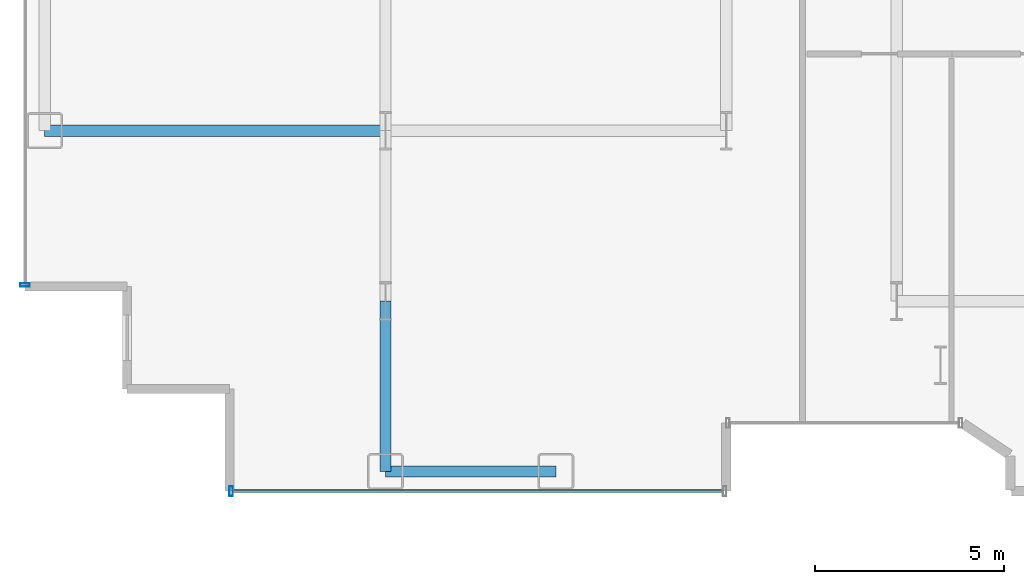
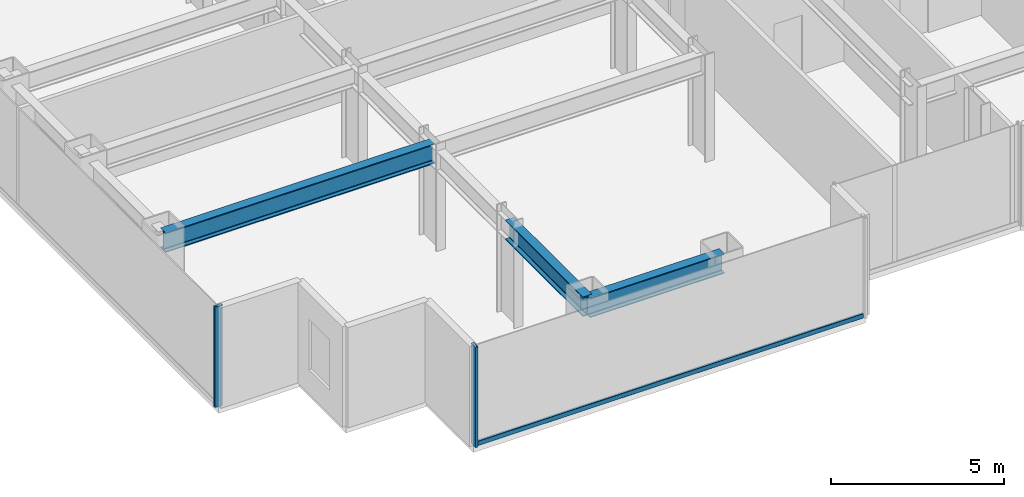
# One storey, part 2 of 26: 3 beams, 3 members, 2 elements without a shape of their own.
"""IFC4 building model written with IfcOpenShell, lengths in metres."""

import ifcopenshell
import ifcopenshell.guid

model = None  # the IFC model being written
_history = None  # IfcOwnerHistory: only IFC2X3 demands one
_inside = {}  # id of a spatial element -> (the spatial element, [elements in it])
_under = {}  # id of a project, library or spatial element -> (it, [spatial elements below it])
_declared = {}  # id of a project -> (the project, [libraries it declares])
_typed = {}  # id of a type object -> (the type object, [elements of that type])
_made_of = {}  # id of a material, layer set ... -> (it, [elements and type objects made of it])


def new_model(schema):
    """Start an empty IFC model of exactly this schema.

    Asked for "IFC4X3", IfcOpenShell would pick the latest addendum, in which some entities
    have other attributes; the version numbers below select the first issue.
    IFC2X3 requires an IfcOwnerHistory on every rooted entity: one is made here for all.
    """
    global model, _history
    if schema == "IFC4X3":
        model = ifcopenshell.file(schema_version=(4, 3, 0, 0))
    else:
        model = ifcopenshell.file(schema=schema)
    _inside.clear()
    _under.clear()
    _declared.clear()
    _typed.clear()
    _made_of.clear()
    _history = None
    if model.schema == "IFC2X3":
        org = make("IfcOrganization", Name="unknown")
        user = make(
            "IfcPersonAndOrganization",
            ThePerson=make("IfcPerson", FamilyName="unknown"),
            TheOrganization=org,
        )
        app = make(
            "IfcApplication",
            ApplicationDeveloper=org,
            Version="unknown",
            ApplicationFullName="unknown",
            ApplicationIdentifier="unknown",
        )
        _history = make(
            "IfcOwnerHistory",
            OwningUser=user,
            OwningApplication=app,
            ChangeAction="ADDED",
            CreationDate=0,
        )
    return model


def make(cls, **values):
    """One entity of the class cls with the attributes given. An attribute that is None is left unset."""
    return model.create_entity(
        cls, **{name: value for name, value in values.items() if value is not None}
    )


def rooted(cls, **values):
    """An entity with a GlobalId (a new one), such as an element, a storey or a relation."""
    return make(cls, GlobalId=ifcopenshell.guid.new(), OwnerHistory=_history, **values)


def si_unit(unit_type, name, prefix=None):
    """IfcSIUnit, for example si_unit("LENGTHUNIT", "METRE", prefix="MILLI")."""
    return make("IfcSIUnit", UnitType=unit_type, Prefix=prefix, Name=name)


def assignment(units):
    """IfcUnitAssignment: the units of a project."""
    return None if units is None else make("IfcUnitAssignment", Units=units)


def point(xyz):
    """IfcCartesianPoint."""
    return None if xyz is None else make("IfcCartesianPoint", Coordinates=xyz)


def direction(xyz):
    """IfcDirection."""
    return None if xyz is None else make("IfcDirection", DirectionRatios=xyz)


def frame(location, z_axis=None, x_axis=None):
    """IfcAxis2Placement3D, a coordinate frame: its origin and axes. An axis left out is left unset."""
    return make(
        "IfcAxis2Placement3D",
        Location=point(location),
        Axis=direction(z_axis),
        RefDirection=direction(x_axis),
    )


def frame_2d(location, x_axis=None):
    """IfcAxis2Placement2D, a coordinate frame in the plane: its origin and x axis."""
    return make(
        "IfcAxis2Placement2D", Location=point(location), RefDirection=direction(x_axis)
    )


def origin():
    """The frame at (0, 0, 0) with its axes left unset."""
    return frame((0.0, 0.0, 0.0))


def origin_2d():
    """The frame at (0, 0) in the plane with its x axis left unset."""
    return frame_2d((0.0, 0.0))


def place(relative_to, where):
    """IfcLocalPlacement: puts the frame where relative to a parent placement (None: the world)."""
    return make(
        "IfcLocalPlacement", PlacementRelTo=relative_to, RelativePlacement=where
    )


def context(
    kind, dimensions, precision=None, world=None, true_north=None, identifier=None
):
    """IfcGeometricRepresentationContext, for example the 3D "Model" context."""
    return make(
        "IfcGeometricRepresentationContext",
        ContextIdentifier=identifier,
        ContextType=kind,
        CoordinateSpaceDimension=dimensions,
        Precision=precision,
        WorldCoordinateSystem=world,
        TrueNorth=true_north,
    )


def subcontext(parent, identifier, kind, view, scale=None):
    """IfcGeometricRepresentationSubContext, for example "Body" below "Model"."""
    return make(
        "IfcGeometricRepresentationSubContext",
        ContextIdentifier=identifier,
        ContextType=kind,
        ParentContext=parent,
        TargetScale=scale,
        TargetView=view,
    )


def project(units=None, contexts=None):
    """IfcProject with its units and contexts."""
    return rooted(
        "IfcProject",
        Name="project",
        RepresentationContexts=contexts,
        UnitsInContext=assignment(units),
    )


def spatial(cls, under=None, at=None, **own):
    """A site, building, storey or space (cls), placed at a placement, below another one or the project."""
    s = rooted(cls, ObjectPlacement=at, **own)
    if under is not None:
        _under.setdefault(under.id(), (under, []))[1].append(s)
    return s


def profile(cls, at=None, kind="AREA", **sizes):
    """A parametric profile (cls). Its sizes go by their IFC names, for example OverallWidth=200.0."""
    return make(cls, ProfileType=kind, Position=at, **sizes)


def hollow_rectangle(**sizes):
    """IfcRectangleHollowProfileDef."""
    return profile("IfcRectangleHollowProfileDef", **sizes)


def i_section(**sizes):
    """IfcIShapeProfileDef."""
    return profile("IfcIShapeProfileDef", **sizes)


def extrude(swept, where, along, depth):
    """IfcExtrudedAreaSolid: the profile swept, set in the frame where, extruded along a direction by depth."""
    return make(
        "IfcExtrudedAreaSolid",
        SweptArea=swept,
        Position=where,
        ExtrudedDirection=direction(along),
        Depth=depth,
    )


def shape(context_of_items, identifier, shape_type, items):
    """IfcShapeRepresentation: the items that make up one representation, for example the "Body"."""
    return make(
        "IfcShapeRepresentation",
        ContextOfItems=context_of_items,
        RepresentationIdentifier=identifier,
        RepresentationType=shape_type,
        Items=items,
    )


def source(mapping_origin, context_of_items, identifier, shape_type, items):
    """IfcRepresentationMap: a shape defined once, which mapped items show again and again."""
    return make(
        "IfcRepresentationMap",
        MappingOrigin=mapping_origin,
        MappedRepresentation=shape(context_of_items, identifier, shape_type, items),
    )


def transform(
    local_origin,
    x_axis=None,
    y_axis=None,
    z_axis=None,
    scale=None,
    scale2=None,
    scale3=None,
    uniform=True,
):
    """IfcCartesianTransformationOperator3D, or its non-uniform kind. x_axis, y_axis, z_axis: its Axis1, 2, 3."""
    if uniform:
        return make(
            "IfcCartesianTransformationOperator3D",
            Axis1=direction(x_axis),
            Axis2=direction(y_axis),
            LocalOrigin=point(local_origin),
            Scale=scale,
            Axis3=direction(z_axis),
        )
    return make(
        "IfcCartesianTransformationOperator3DnonUniform",
        Axis1=direction(x_axis),
        Axis2=direction(y_axis),
        LocalOrigin=point(local_origin),
        Scale=scale,
        Axis3=direction(z_axis),
        Scale2=scale2,
        Scale3=scale3,
    )


def mapped(mapping_source, mapping_target):
    """IfcMappedItem: shows the shape of a source again, moved by a transform."""
    return make(
        "IfcMappedItem", MappingSource=mapping_source, MappingTarget=mapping_target
    )


def material(Name=None, Category=None):
    """IfcMaterial."""
    return make("IfcMaterial", Name=Name, Category=Category)


def layer(
    of_material, thickness, ventilated=None, Name=None, Category=None, Priority=None
):
    """IfcMaterialLayer: one layer of a wall or slab, of a material (None: an air gap)."""
    return make(
        "IfcMaterialLayer",
        Material=of_material,
        LayerThickness=thickness,
        IsVentilated=ventilated,
        Name=Name,
        Category=Category,
        Priority=Priority,
    )


def layer_set(layers, Name=None):
    """IfcMaterialLayerSet."""
    return make("IfcMaterialLayerSet", MaterialLayers=layers, LayerSetName=Name)


def material_profile(
    of_material, cross_section, Name=None, Category=None, Priority=None
):
    """IfcMaterialProfile: a cross section and its material."""
    return make(
        "IfcMaterialProfile",
        Name=Name,
        Material=of_material,
        Profile=cross_section,
        Priority=Priority,
        Category=Category,
    )


def profile_set(profiles, Name=None, composite=None):
    """IfcMaterialProfileSet."""
    return make(
        "IfcMaterialProfileSet",
        Name=Name,
        MaterialProfiles=profiles,
        CompositeProfile=composite,
    )


def made_of(thing, what):
    """Note that an element or type object is made of a material, layer set ...; save() writes the relation."""
    if what is not None:
        _made_of.setdefault(what.id(), (what, []))[1].append(thing)
    return thing


def type_object(cls, material=None, **own):
    """A type object (cls), such as IfcWallType, which elements share."""
    return made_of(rooted(cls, **own), material)


def element(
    cls,
    number,
    at=None,
    inside=None,
    cuts=None,
    type_object=None,
    material=None,
    context=None,
    identifier="Body",
    shape_type=None,
    held_by="IfcProductDefinitionShape",
    body=None,
    shapes=None,
    **own,
):
    """One element of the class cls, such as IfcWall. Its Tag is "e" and its number.

    at: its placement. inside: the storey or other place that contains it. cuts: it is an
    opening in that element (IfcRelVoidsElement). A single representation is given by context,
    identifier, shape_type and body (its items); several are given by shapes. held_by: the class
    of the entity that holds the representations. save() writes the other relations.
    """
    e = rooted(cls, Tag="e%d" % number, ObjectPlacement=at, **own)
    if body is not None:
        shapes = [shape(context, identifier, shape_type, body)]
    if shapes is not None:
        e.Representation = make(held_by, Representations=shapes)
    if inside is not None:
        _inside.setdefault(inside.id(), (inside, []))[1].append(e)
    if cuts is not None:
        rooted(
            "IfcRelVoidsElement", RelatingBuildingElement=cuts, RelatedOpeningElement=e
        )
    if type_object is not None:
        _typed.setdefault(type_object.id(), (type_object, []))[1].append(e)
    return made_of(e, material)


def aggregate(whole, parts):
    """IfcRelAggregates: a whole, such as a stair, and the parts it consists of."""
    return rooted("IfcRelAggregates", RelatingObject=whole, RelatedObjects=parts)


def save(model, path):
    """Write the relations noted so far, then the file.

    IfcRelAggregates (storeys below a building ...), IfcRelContainedInSpatialStructure (elements
    in a storey), IfcRelDefinesByType, IfcRelAssociatesMaterial and IfcRelDeclares: one each for
    every whole, place, type object, material and project.
    """
    for whole, parts in _under.values():
        aggregate(whole, parts)
    for where, things in _inside.values():
        rooted(
            "IfcRelContainedInSpatialStructure",
            RelatedElements=things,
            RelatingStructure=where,
        )
    for kind, things in _typed.values():
        rooted("IfcRelDefinesByType", RelatedObjects=things, RelatingType=kind)
    for what, things in _made_of.values():
        rooted("IfcRelAssociatesMaterial", RelatedObjects=things, RelatingMaterial=what)
    for by, libraries in _declared.values():
        rooted("IfcRelDeclares", RelatingContext=by, RelatedDefinitions=libraries)
    model.write(path)


model = new_model("IFC4")

# Units and contexts
model_context = context("Model", 3, precision=1e-05, world=origin(), true_north=direction((0.0, 1.0)))
body_context = subcontext(model_context, "Body", "Model", "MODEL_VIEW")
ifc_project = project(units=[si_unit("LENGTHUNIT", "METRE"), si_unit("AREAUNIT", "SQUARE_METRE"), si_unit("VOLUMEUNIT", "CUBIC_METRE"), si_unit("PLANEANGLEUNIT", "RADIAN"), si_unit("MASSUNIT", "GRAM", prefix="KILO")], contexts=[model_context])

# Site, building, storey
site_placement = place(None, origin())
site = spatial("IfcSite", under=ifc_project, at=site_placement, CompositionType="ELEMENT")
building_placement = place(site_placement, origin())
building = spatial("IfcBuilding", under=site, at=building_placement, Name="Nefas-Gora Pilgrimage Tower", CompositionType="ELEMENT")
storey_placement = place(building_placement, frame((0.0, 0.0, 63.39990234375)))
storey = spatial("IfcBuildingStorey", under=building, at=storey_placement, Name="L14", CompositionType="ELEMENT", Elevation=63.39990234375)

# Beams
ifc_material_1 = material(Name="Steel S355", Category="steel")
ifc_material_profile_1 = material_profile(ifc_material_1, i_section(OverallWidth=0.300048828125, OverallDepth=0.699951171875, WebThickness=0.01708984375, FlangeThickness=0.031982421875, FilletRadius=0.027099609375, at=origin_2d()), Name="HEB 700")
ifc_profile_set_1 = profile_set([ifc_material_profile_1], Name="Steel S355")
beam_type_1 = type_object("IfcBeamType", Name="BM-SPN-HEB600", PredefinedType="SPANDREL", material=ifc_profile_set_1)
shared_shape_1 = source(origin(), body_context, "Body", "SweptSolid", [
    extrude(i_section(OverallWidth=0.300048828125, OverallDepth=0.699951171875, WebThickness=0.01708984375, FlangeThickness=0.031982421875, FilletRadius=0.027099609375, at=origin_2d()), origin(), (0.0, 0.0, 1.0), 4.5),
])
beam_1_placement = place(storey_placement, frame((-24.75, -22.5, 3.2001953125), z_axis=(1.0, 0.0, 0.0), x_axis=(0.0, 1.0, 0.0)))
element("IfcBeam", 1, at=beam_1_placement, inside=storey, type_object=beam_type_1, Name="L14 SP-01 beam", PredefinedType="SPANDREL", context=body_context, shape_type="MappedRepresentation", body=[
    mapped(shared_shape_1, transform((0.0, 0.0, 0.0), x_axis=(1.0, 0.0, 0.0), y_axis=(0.0, 1.0, 0.0), z_axis=(0.0, 0.0, 1.0), scale=1.0)),
])
ifc_material_profile_2 = material_profile(ifc_material_1, i_section(OverallWidth=0.300048828125, OverallDepth=0.699951171875, WebThickness=0.01708984375, FlangeThickness=0.031982421875, FilletRadius=0.027099609375, at=origin_2d()), Name="HEB 700")
ifc_profile_set_2 = profile_set([ifc_material_profile_2], Name="Steel S355")
beam_type_2 = type_object("IfcBeamType", Name="BM-GIR-HEB700", PredefinedType="BEAM", material=ifc_profile_set_2)
shared_shape_2 = source(origin(), body_context, "Body", "SweptSolid", [
    extrude(i_section(OverallWidth=0.300048828125, OverallDepth=0.699951171875, WebThickness=0.01708984375, FlangeThickness=0.031982421875, FilletRadius=0.027099609375, at=origin_2d()), origin(), (0.0, 0.0, 1.0), 9.0),
])
beam_2_placement = place(storey_placement, frame((-33.75, -13.5, 3.2001953125), z_axis=(1.0, 0.0, 0.0), x_axis=(0.0, 1.0, 0.0)))
element("IfcBeam", 2, at=beam_2_placement, inside=storey, type_object=beam_type_2, Name="L14 G-02 beam", PredefinedType="BEAM", context=body_context, shape_type="MappedRepresentation", body=[
    mapped(shared_shape_2, transform((0.0, 0.0, 0.0), x_axis=(1.0, 0.0, 0.0), y_axis=(0.0, 1.0, 0.0), z_axis=(0.0, 0.0, 1.0), scale=1.0)),
])
shared_shape_3 = source(origin(), body_context, "Body", "SweptSolid", [
    extrude(i_section(OverallWidth=0.300048828125, OverallDepth=0.699951171875, WebThickness=0.01708984375, FlangeThickness=0.031982421875, FilletRadius=0.027099609375, at=origin_2d()), origin(), (0.0, 0.0, 1.0), 4.5),
])
beam_3_placement = place(storey_placement, frame((-24.75, -22.5, 3.2001953125), z_axis=(0.0, 1.0, 0.0), x_axis=(-1.0, 0.0, 0.0)))
element("IfcBeam", 3, at=beam_3_placement, inside=storey, type_object=beam_type_2, Name="L14 G-02 beam", PredefinedType="BEAM", context=body_context, shape_type="MappedRepresentation", body=[
    mapped(shared_shape_3, transform((0.0, 0.0, 0.0), x_axis=(1.0, 0.0, 0.0), y_axis=(0.0, 1.0, 0.0), z_axis=(0.0, 0.0, 1.0), scale=1.0)),
])

# Curtain wall, member
ifc_material_2 = material(Name="Dark ceramic-fritted solar-control aluminium-glass curtain wall", Category="aluminium")
ifc_layer = layer(ifc_material_2, 0.219970703125)
ifc_layer_set = layer_set([ifc_layer], Name="Dark ceramic-fritted solar-control aluminium-glass curtain wall")
curtain_wall_type = type_object("IfcCurtainWallType", Name="CW-SYS-2", PredefinedType="NOTDEFINED", material=ifc_layer_set)
curtain_wall_1_placement = place(storey_placement, origin())
curtain_wall_1 = element("IfcCurtainWall", 4, at=curtain_wall_1_placement, inside=storey, type_object=curtain_wall_type, Name="L14 Unitised Curtain Wall CW2", PredefinedType="NOTDEFINED")
ifc_material_3 = material(Name="Anodised architectural aluminium", Category="aluminium")
ifc_material_profile_3 = material_profile(ifc_material_3, hollow_rectangle(XDim=0.090087890625, YDim=0.260009765625, WallThickness=0.006103515625, InnerFilletRadius=0.006103515625, OuterFilletRadius=0.011962890625, at=origin_2d()), Name="ALU MULLION 90x260")
ifc_profile_set_3 = profile_set([ifc_material_profile_3], Name="Anodised architectural aluminium")
member_type_1 = type_object("IfcMemberType", Name="CWM-MUL-2", PredefinedType="MULLION", material=ifc_profile_set_3)
shared_shape_4 = source(origin(), body_context, "Body", "SweptSolid", [
    extrude(hollow_rectangle(XDim=0.090087890625, YDim=0.260009765625, WallThickness=0.006103515625, InnerFilletRadius=0.006103515625, OuterFilletRadius=0.011962890625, at=origin_2d()), origin(), (0.0, 0.0, 1.0), 3.550048828125),
])
member_1_placement = place(storey_placement, frame((-34.27001953125, -17.574951171875, 0.0), z_axis=(0.0, 0.0, 1.0), x_axis=(0.0, -1.0, 0.0)))
member_1 = element("IfcMember", 5, at=member_1_placement, type_object=member_type_1, Name="CW2 Mullion 2", PredefinedType="MULLION", context=body_context, shape_type="MappedRepresentation", body=[
    mapped(shared_shape_4, transform((0.0, 0.0, 0.0), x_axis=(1.0, 0.0, 0.0), y_axis=(0.0, 1.0, 0.0), z_axis=(0.0, 0.0, 1.0), scale=1.0)),
])
aggregate(curtain_wall_1, [member_1])

# Curtain wall, members
curtain_wall_2_placement = place(storey_placement, origin())
curtain_wall_2 = element("IfcCurtainWall", 6, at=curtain_wall_2_placement, inside=storey, type_object=curtain_wall_type, Name="L14 Unitised Curtain Wall CW2", PredefinedType="NOTDEFINED")
member_2_placement = place(storey_placement, frame((-28.824951171875, -23.02001953125, 0.0), z_axis=(0.0, 0.0, 1.0), x_axis=(1.0, 0.0, 0.0)))
member_2 = element("IfcMember", 7, at=member_2_placement, type_object=member_type_1, Name="CW2 Mullion 1", PredefinedType="MULLION", context=body_context, shape_type="MappedRepresentation", body=[
    mapped(shared_shape_4, transform((0.0, 0.0, 0.0), x_axis=(1.0, 0.0, 0.0), y_axis=(0.0, 1.0, 0.0), z_axis=(0.0, 0.0, 1.0), scale=1.0)),
])
ifc_material_profile_4 = material_profile(ifc_material_3, hollow_rectangle(XDim=0.080078125, YDim=0.159912109375, WallThickness=0.00439453125, InnerFilletRadius=0.00439453125, OuterFilletRadius=0.009033203125, at=origin_2d()), Name="ALU TRANSOM 80x160")
ifc_profile_set_4 = profile_set([ifc_material_profile_4], Name="Anodised architectural aluminium")
member_type_2 = type_object("IfcMemberType", Name="CWM-TRN-2", PredefinedType="USERDEFINED", material=ifc_profile_set_4)
shared_shape_5 = source(origin(), body_context, "Body", "SweptSolid", [
    extrude(hollow_rectangle(XDim=0.080078125, YDim=0.159912109375, WallThickness=0.00439453125, InnerFilletRadius=0.00439453125, OuterFilletRadius=0.009033203125, at=origin_2d()), origin(), (0.0, 0.0, 1.0), 12.93994140625),
])
member_3_placement = place(storey_placement, frame((-28.780029296875, -23.02001953125, 0.050048828125), z_axis=(1.0, 0.0, 0.0), x_axis=(0.0, 1.0, 0.0)))
member_3 = element("IfcMember", 8, at=member_3_placement, type_object=member_type_2, Name="CW2 Spandrel Transom", ObjectType="TRANSOM", PredefinedType="USERDEFINED", context=body_context, shape_type="MappedRepresentation", body=[
    mapped(shared_shape_5, transform((0.0, 0.0, 0.0), x_axis=(1.0, 0.0, 0.0), y_axis=(0.0, 1.0, 0.0), z_axis=(0.0, 0.0, 1.0), scale=1.0)),
])
aggregate(curtain_wall_2, [member_2, member_3])

save(model, "model.ifc")
